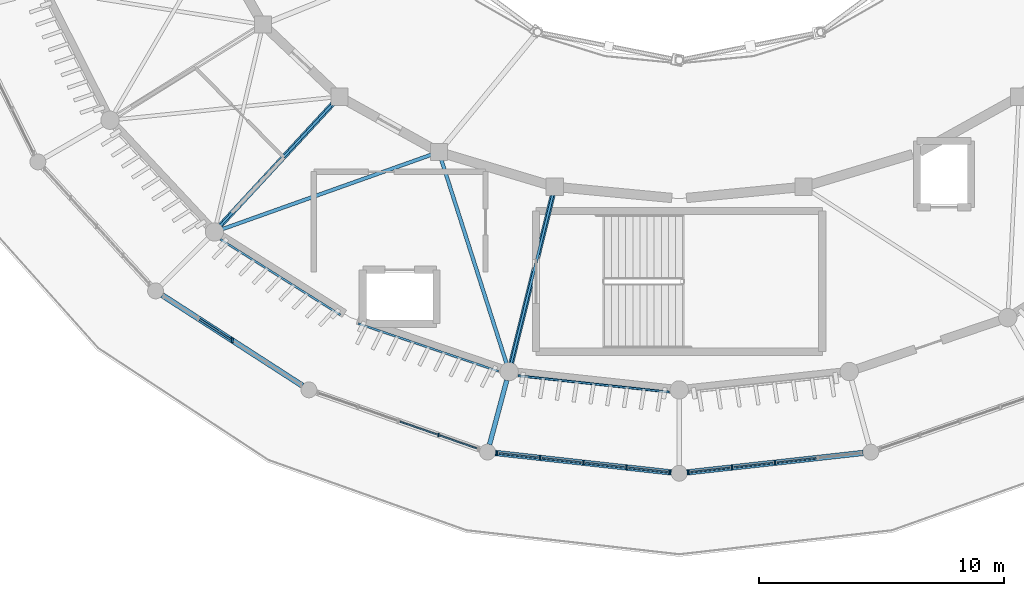
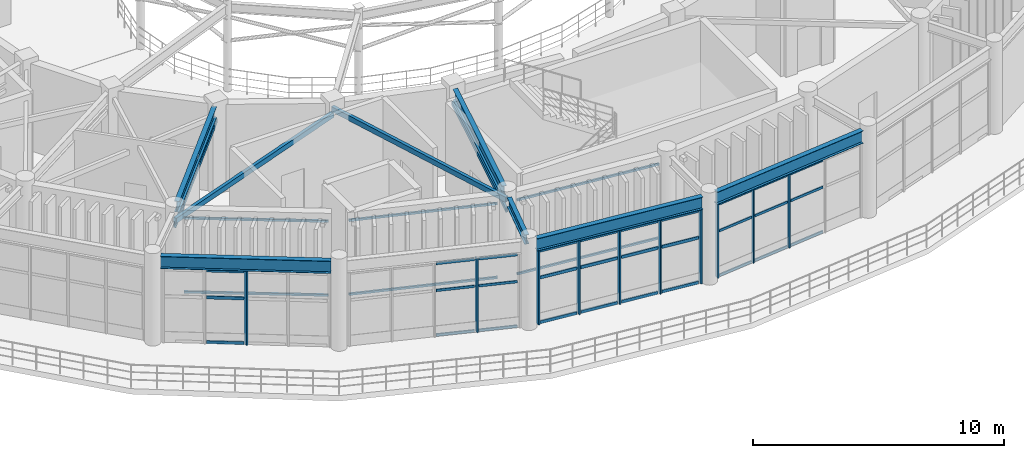
# One storey, part 8 of 45: 50 members, 6 beams, 4 elements without a shape of their own.
"""IFC4 building model written with IfcOpenShell, lengths in metres."""

from ifc_helpers import new_model, si_unit, direction, frame, origin, origin_2d, place, context, subcontext, project, spatial, rectangle, hollow_rectangle, i_section, extrude, material, material_profile, profile_set, type_object, element, aggregate, save


model = new_model("IFC4")

# Units and contexts
model_context = context("Model", 3, precision=1e-05, world=origin(), true_north=direction((0.0, 1.0)))
body_context = subcontext(model_context, "Body", "Model", "MODEL_VIEW")
ifc_project = project(units=[si_unit("LENGTHUNIT", "METRE"), si_unit("AREAUNIT", "SQUARE_METRE"), si_unit("VOLUMEUNIT", "CUBIC_METRE"), si_unit("PLANEANGLEUNIT", "RADIAN"), si_unit("MASSUNIT", "GRAM", prefix="KILO")], contexts=[model_context])

# Site, building, storey
site_placement = place(None, origin())
site = spatial("IfcSite", under=ifc_project, at=site_placement, CompositionType="ELEMENT")
building_placement = place(site_placement, origin())
building = spatial("IfcBuilding", under=site, at=building_placement, Name="Cinderbank Siding Concert Hall", CompositionType="ELEMENT")
storey_placement = place(building_placement, frame((0.0, 0.0, 19.199951171875)))
storey = spatial("IfcBuildingStorey", under=building, at=storey_placement, Name="L05", CompositionType="ELEMENT", Elevation=19.199951171875)

# Beams
ifc_material_1 = material(Name="Structural steel AS/NZS 3679.1 Grade 350 (340 MPa)", Category="steel")
ifc_material_profile_1 = material_profile(ifc_material_1, i_section(OverallWidth=0.19091796875, OverallDepth=0.46044921875, WebThickness=0.010009765625, FlangeThickness=0.01611328125, at=origin_2d()), Name="460UB82.1", Category="LoadBearing")
ifc_profile_set_1 = profile_set([ifc_material_profile_1], Name="Structural steel AS/NZS 3679.1 Grade 350 (340 MPa)")
beam_type_1 = type_object("IfcBeamType", Name="BM-UB460H 460UB82.1", PredefinedType="BEAM", material=ifc_profile_set_1)
beam_1_placement = place(storey_placement, frame((114.968505859375, 22.39501953125, 4.001953125), z_axis=(-0.258809477387, -0.9659283899, 0.0), x_axis=(0.9659283899, -0.258809477387, 0.0)))
element("IfcBeam", 1, at=beam_1_placement, inside=storey, type_object=beam_type_1, Name="L05 Beam BM-UB460H #810", PredefinedType="BEAM", context=body_context, shape_type="SweptSolid", body=[
    extrude(i_section(OverallWidth=0.19091796875, OverallDepth=0.46044921875, WebThickness=0.010009765625, FlangeThickness=0.01611328125, at=origin_2d()), origin(), (0.0, 0.0, 1.0), 2.7158203125),
])
ifc_material_profile_2 = material_profile(ifc_material_1, i_section(OverallWidth=0.208984375, OverallDepth=0.532958984375, WebThickness=0.01025390625, FlangeThickness=0.015625, at=origin_2d()), Name="530UB92.4", Category="LoadBearing")
ifc_profile_set_2 = profile_set([ifc_material_profile_2], Name="Structural steel AS/NZS 3679.1 Grade 350 (340 MPa)")
beam_type_2 = type_object("IfcBeamType", Name="BM-UB530H 530UB92.4", PredefinedType="BEAM", material=ifc_profile_set_2)
beam_2_placement = place(storey_placement, frame((107.90869140625, 33.707763671875, 4.015625), z_axis=(-0.67829203735, -0.734792427879, 0.0), x_axis=(0.734792427879, -0.67829203735, 0.0)))
element("IfcBeam", 2, at=beam_2_placement, inside=storey, type_object=beam_type_2, Name="L05 Beam BM-UB530H #789", PredefinedType="BEAM", context=body_context, shape_type="SweptSolid", body=[
    extrude(i_section(OverallWidth=0.208984375, OverallDepth=0.532958984375, WebThickness=0.01025390625, FlangeThickness=0.015625, at=origin_2d()), origin(), (0.0, 0.0, 1.0), 6.797119140625),
])
beam_3_placement = place(storey_placement, frame((116.844970703125, 29.951904296875, 4.015625), z_axis=(-0.240115631411, -0.970744293598, 0.0), x_axis=(0.970744293598, -0.240115631411, 0.0)))
element("IfcBeam", 3, at=beam_3_placement, inside=storey, type_object=beam_type_2, Name="L05 Beam BM-UB530H #790", PredefinedType="BEAM", context=body_context, shape_type="SweptSolid", body=[
    extrude(i_section(OverallWidth=0.208984375, OverallDepth=0.532958984375, WebThickness=0.01025390625, FlangeThickness=0.015625, at=origin_2d()), origin(), (0.0, 0.0, 1.0), 7.05224609375),
])
ifc_material_profile_3 = material_profile(ifc_material_1, i_section(OverallWidth=0.22802734375, OverallDepth=0.60693359375, WebThickness=0.01123046875, FlangeThickness=0.017333984375, at=origin_2d()), Name="610UB113", Category="LoadBearing")
ifc_profile_set_3 = profile_set([ifc_material_profile_3], Name="Structural steel AS/NZS 3679.1 Grade 350 (340 MPa)")
beam_type_3 = type_object("IfcBeamType", Name="BM-UB610M 610UB113", PredefinedType="BEAM", material=ifc_profile_set_3)
beam_4_placement = place(storey_placement, frame((100.91162109375, 25.86767578125, 3.928466796875), z_axis=(0.840219727246, -0.542246078775, 0.0), x_axis=(0.542246078775, 0.840219727246, 0.0)))
element("IfcBeam", 4, at=beam_4_placement, inside=storey, type_object=beam_type_3, Name="L05 Beam BM-UB610M #774", PredefinedType="BEAM", context=body_context, shape_type="SweptSolid", body=[
    extrude(i_section(OverallWidth=0.22802734375, OverallDepth=0.60693359375, WebThickness=0.01123046875, FlangeThickness=0.017333984375, at=origin_2d()), origin(), (0.0, 0.0, 1.0), 6.810302734375),
])
for number, where, z_axis, x_axis, name in (
    (5, (114.498779296875, 19.4306640625, 3.928466796875), (0.993926077211, -0.110049775281, 0.0), (0.110049775281, 0.993926077211, 0.0), "L05 Beam BM-UB610M #776"),
    (6, (122.315185546875, 18.635009765625, 3.928466796875), (0.993926077211, 0.110049775281, 0.0), (-0.110049775281, 0.993926077211, 0.0), "L05 Beam BM-UB610M #777"),
):
    element("IfcBeam", number, at=place(storey_placement, frame(where, z_axis=z_axis, x_axis=x_axis)), inside=storey, type_object=beam_type_3, Name=name, PredefinedType="BEAM", context=body_context, shape_type="SweptSolid", body=[
        extrude(i_section(OverallWidth=0.22802734375, OverallDepth=0.60693359375, WebThickness=0.01123046875, FlangeThickness=0.017333984375, at=origin_2d()), origin(), (0.0, 0.0, 1.0), 7.22998046875),
    ])

# Curtain wall, member
ifc_material_2 = material(Name="Anodised aluminium alloy 6063-T6", Category="aluminium")
curtain_wall_type_1 = type_object("IfcCurtainWallType", Name="CW-09 Unitised Acoustic Curtain Wall 8000x3500", PredefinedType="NOTDEFINED", material=ifc_material_2)
curtain_wall_1_placement = place(storey_placement, origin())
curtain_wall_1 = element("IfcCurtainWall", 7, at=curtain_wall_1_placement, inside=storey, type_object=curtain_wall_type_1, Name="L05 Curtain Wall CW-09 #86", PredefinedType="NOTDEFINED")
ifc_material_profile_4 = material_profile(ifc_material_2, rectangle(XDim=0.06005859375, YDim=0.159912109375, at=origin_2d()), Name="ALU-MULL-60x160", Category="LoadBearing")
ifc_profile_set_4 = profile_set([ifc_material_profile_4], Name="Anodised aluminium alloy 6063-T6")
member_type_1 = type_object("IfcMemberType", Name="CW-ML1 Mullion 60x160", PredefinedType="MULLION", material=ifc_profile_set_4)
member_1_placement = place(storey_placement, frame((112.1787109375, 20.1640625, 0.0), z_axis=(0.0, 0.0, 1.0), x_axis=(1.0, 0.0, 0.0)))
member_1 = element("IfcMember", 8, at=member_1_placement, type_object=member_type_1, Name="CW-L05-086 Mullion 3", PredefinedType="MULLION", context=body_context, shape_type="SweptSolid", body=[
    extrude(rectangle(XDim=0.06005859375, YDim=0.159912109375, at=origin_2d()), origin(), (0.0, 0.0, 1.0), 3.610107421875),
])

# Curtain wall, members
curtain_wall_type_2 = type_object("IfcCurtainWallType", Name="CW-11 Unitised Acoustic Curtain Wall 6600x3500", PredefinedType="NOTDEFINED", material=ifc_material_2)
curtain_wall_2_placement = place(storey_placement, origin())
curtain_wall_2 = element("IfcCurtainWall", 9, at=curtain_wall_2_placement, inside=storey, type_object=curtain_wall_type_2, Name="L05 Curtain Wall CW-11 #88", PredefinedType="NOTDEFINED")
member_2_placement = place(storey_placement, frame((122.3876953125, 18.642822265625, 0.0), z_axis=(0.0, 0.0, 1.0), x_axis=(1.0, 0.0, 0.0)))
member_2 = element("IfcMember", 10, at=member_2_placement, type_object=member_type_1, Name="CW-L05-088 Mullion 0", PredefinedType="MULLION", context=body_context, shape_type="SweptSolid", body=[
    extrude(rectangle(XDim=0.06005859375, YDim=0.159912109375, at=origin_2d()), origin(), (0.0, 0.0, 1.0), 3.610107421875),
])
member_3_placement = place(storey_placement, frame((124.14794921875, 18.837890625, 0.0), z_axis=(0.0, 0.0, 1.0), x_axis=(1.0, 0.0, 0.0)))
member_3 = element("IfcMember", 11, at=member_3_placement, type_object=member_type_1, Name="CW-L05-088 Mullion 1", PredefinedType="MULLION", context=body_context, shape_type="SweptSolid", body=[
    extrude(rectangle(XDim=0.06005859375, YDim=0.159912109375, at=origin_2d()), origin(), (0.0, 0.0, 1.0), 3.610107421875),
])
member_4_placement = place(storey_placement, frame((125.908203125, 19.03271484375, 0.0), z_axis=(0.0, 0.0, 1.0), x_axis=(1.0, 0.0, 0.0)))
member_4 = element("IfcMember", 12, at=member_4_placement, type_object=member_type_1, Name="CW-L05-088 Mullion 2", PredefinedType="MULLION", context=body_context, shape_type="SweptSolid", body=[
    extrude(rectangle(XDim=0.06005859375, YDim=0.159912109375, at=origin_2d()), origin(), (0.0, 0.0, 1.0), 3.610107421875),
])

# Curtain wall, member
curtain_wall_type_3 = type_object("IfcCurtainWallType", Name="CW-12 Unitised Acoustic Curtain Wall 5800x3500", PredefinedType="NOTDEFINED", material=ifc_material_2)
curtain_wall_3_placement = place(storey_placement, origin())
curtain_wall_3 = element("IfcCurtainWall", 13, at=curtain_wall_3_placement, inside=storey, type_object=curtain_wall_type_3, Name="L05 Curtain Wall CW-12 #85", PredefinedType="NOTDEFINED")
ifc_material_profile_5 = material_profile(ifc_material_2, rectangle(XDim=0.06494140625, YDim=0.199951171875, at=origin_2d()), Name="ALU-MULL-65x200", Category="LoadBearing")
ifc_profile_set_5 = profile_set([ifc_material_profile_5], Name="Anodised aluminium alloy 6063-T6")
member_type_2 = type_object("IfcMemberType", Name="CW-ML2 Mullion 65x200", PredefinedType="MULLION", material=ifc_profile_set_5)
member_5_placement = place(storey_placement, frame((103.772705078125, 24.021240234375, 0.0), z_axis=(0.0, 0.0, 1.0), x_axis=(1.0, 0.0, 0.0)))
member_5 = element("IfcMember", 14, at=member_5_placement, type_object=member_type_2, Name="CW-L05-085 Mullion 2", PredefinedType="MULLION", context=body_context, shape_type="SweptSolid", body=[
    extrude(rectangle(XDim=0.06494140625, YDim=0.199951171875, at=origin_2d()), origin(), (0.0, 0.0, 1.0), 3.610107421875),
])

# Curtain wall, members
curtain_wall_type_4 = type_object("IfcCurtainWallType", Name="CW-10 Unitised Acoustic Curtain Wall 7200x3500", PredefinedType="NOTDEFINED", material=ifc_material_2)
curtain_wall_4_placement = place(storey_placement, origin())
curtain_wall_4 = element("IfcCurtainWall", 15, at=curtain_wall_4_placement, inside=storey, type_object=curtain_wall_type_4, Name="L05 Curtain Wall CW-10 #87", PredefinedType="NOTDEFINED")
member_6_placement = place(storey_placement, frame((114.5712890625, 19.422607421875, 0.0), z_axis=(0.0, 0.0, 1.0), x_axis=(1.0, 0.0, 0.0)))
member_6 = element("IfcMember", 16, at=member_6_placement, type_object=member_type_2, Name="CW-L05-087 Mullion 0", PredefinedType="MULLION", context=body_context, shape_type="SweptSolid", body=[
    extrude(rectangle(XDim=0.06494140625, YDim=0.199951171875, at=origin_2d()), origin(), (0.0, 0.0, 1.0), 3.610107421875),
])
member_7_placement = place(storey_placement, frame((116.33154296875, 19.227783203125, 0.0), z_axis=(0.0, 0.0, 1.0), x_axis=(1.0, 0.0, 0.0)))
member_7 = element("IfcMember", 17, at=member_7_placement, type_object=member_type_2, Name="CW-L05-087 Mullion 1", PredefinedType="MULLION", context=body_context, shape_type="SweptSolid", body=[
    extrude(rectangle(XDim=0.06494140625, YDim=0.199951171875, at=origin_2d()), origin(), (0.0, 0.0, 1.0), 3.610107421875),
])
member_8_placement = place(storey_placement, frame((118.091796875, 19.03271484375, 0.0), z_axis=(0.0, 0.0, 1.0), x_axis=(1.0, 0.0, 0.0)))
member_8 = element("IfcMember", 18, at=member_8_placement, type_object=member_type_2, Name="CW-L05-087 Mullion 2", PredefinedType="MULLION", context=body_context, shape_type="SweptSolid", body=[
    extrude(rectangle(XDim=0.06494140625, YDim=0.199951171875, at=origin_2d()), origin(), (0.0, 0.0, 1.0), 3.610107421875),
])
member_9_placement = place(storey_placement, frame((119.85205078125, 18.837890625, 0.0), z_axis=(0.0, 0.0, 1.0), x_axis=(1.0, 0.0, 0.0)))
member_9 = element("IfcMember", 19, at=member_9_placement, type_object=member_type_2, Name="CW-L05-087 Mullion 3", PredefinedType="MULLION", context=body_context, shape_type="SweptSolid", body=[
    extrude(rectangle(XDim=0.06494140625, YDim=0.199951171875, at=origin_2d()), origin(), (0.0, 0.0, 1.0), 3.610107421875),
])
member_10_placement = place(storey_placement, frame((121.6123046875, 18.642822265625, 0.0), z_axis=(0.0, 0.0, 1.0), x_axis=(1.0, 0.0, 0.0)))
member_10 = element("IfcMember", 20, at=member_10_placement, type_object=member_type_2, Name="CW-L05-087 Mullion 4", PredefinedType="MULLION", context=body_context, shape_type="SweptSolid", body=[
    extrude(rectangle(XDim=0.06494140625, YDim=0.199951171875, at=origin_2d()), origin(), (0.0, 0.0, 1.0), 3.610107421875),
])

# Member
ifc_material_profile_6 = material_profile(ifc_material_2, rectangle(XDim=0.06005859375, YDim=0.1201171875, at=origin_2d()), Name="ALU-TRAN-60x120", Category="LoadBearing")
ifc_profile_set_6 = profile_set([ifc_material_profile_6], Name="Anodised aluminium alloy 6063-T6")
member_type_3 = type_object("IfcMemberType", Name="CW-TR1 Transom 60x120", PredefinedType="USERDEFINED", material=ifc_profile_set_6)
member_11_placement = place(storey_placement, frame((110.623779296875, 20.705810546875, 0.06005859375), z_axis=(0.944274869359, -0.32915797286, 0.0), x_axis=(0.32915797286, 0.944274869359, 0.0)))
member_11 = element("IfcMember", 21, at=member_11_placement, type_object=member_type_3, Name="CW-L05-086 Transom 2-0", ObjectType="TRANSOM", PredefinedType="USERDEFINED", context=body_context, shape_type="SweptSolid", body=[
    extrude(rectangle(XDim=0.06005859375, YDim=0.1201171875, at=origin_2d()), origin(), (0.0, 0.0, 1.0), 1.559814453125),
])

member_12_placement = place(storey_placement, frame((110.623779296875, 20.705810546875, 2.23828125), z_axis=(0.944274869359, -0.32915797286, 0.0), x_axis=(0.32915797286, 0.944274869359, 0.0)))
member_12 = element("IfcMember", 22, at=member_12_placement, type_object=member_type_3, Name="CW-L05-086 Transom 2-1", ObjectType="TRANSOM", PredefinedType="USERDEFINED", context=body_context, shape_type="SweptSolid", body=[
    extrude(rectangle(XDim=0.06005859375, YDim=0.1201171875, at=origin_2d()), origin(), (0.0, 0.0, 1.0), 1.559814453125),
])

member_13_placement = place(storey_placement, frame((110.623779296875, 20.705810546875, 3.550048828125), z_axis=(0.944274869359, -0.32915797286, 0.0), x_axis=(0.32915797286, 0.944274869359, 0.0)))
member_13 = element("IfcMember", 23, at=member_13_placement, type_object=member_type_3, Name="CW-L05-086 Transom 2-2", ObjectType="TRANSOM", PredefinedType="USERDEFINED", context=body_context, shape_type="SweptSolid", body=[
    extrude(rectangle(XDim=0.06005859375, YDim=0.1201171875, at=origin_2d()), origin(), (0.0, 0.0, 1.0), 1.559814453125),
])

member_14_placement = place(storey_placement, frame((112.260498046875, 20.135498046875, 0.06005859375), z_axis=(0.944340450587, -0.328969775793, 0.0), x_axis=(0.328969775793, 0.944340450587, 0.0)))
member_14 = element("IfcMember", 24, at=member_14_placement, type_object=member_type_3, Name="CW-L05-086 Transom 3-0", ObjectType="TRANSOM", PredefinedType="USERDEFINED", context=body_context, shape_type="SweptSolid", body=[
    extrude(rectangle(XDim=0.06005859375, YDim=0.1201171875, at=origin_2d()), origin(), (0.0, 0.0, 1.0), 1.56005859375),
])

member_15_placement = place(storey_placement, frame((112.260498046875, 20.135498046875, 2.23828125), z_axis=(0.944340450587, -0.328969775793, 0.0), x_axis=(0.328969775793, 0.944340450587, 0.0)))
member_15 = element("IfcMember", 25, at=member_15_placement, type_object=member_type_3, Name="CW-L05-086 Transom 3-1", ObjectType="TRANSOM", PredefinedType="USERDEFINED", context=body_context, shape_type="SweptSolid", body=[
    extrude(rectangle(XDim=0.06005859375, YDim=0.1201171875, at=origin_2d()), origin(), (0.0, 0.0, 1.0), 1.56005859375),
])

member_16_placement = place(storey_placement, frame((112.260498046875, 20.135498046875, 3.550048828125), z_axis=(0.944340450587, -0.328969775793, 0.0), x_axis=(0.328969775793, 0.944340450587, 0.0)))
member_16 = element("IfcMember", 26, at=member_16_placement, type_object=member_type_3, Name="CW-L05-086 Transom 3-2", ObjectType="TRANSOM", PredefinedType="USERDEFINED", context=body_context, shape_type="SweptSolid", body=[
    extrude(rectangle(XDim=0.06005859375, YDim=0.1201171875, at=origin_2d()), origin(), (0.0, 0.0, 1.0), 1.56005859375),
])

aggregate(curtain_wall_1, [member_1, member_11, member_12, member_13, member_14, member_15, member_16])

member_17_placement = place(storey_placement, frame((122.4755859375, 18.652587890625, 0.06005859375), z_axis=(0.993917311195, 0.110128917668, 0.0), x_axis=(-0.110128917668, 0.993917311195, 0.0)))
member_17 = element("IfcMember", 27, at=member_17_placement, type_object=member_type_3, Name="CW-L05-088 Transom 0-0", ObjectType="TRANSOM", PredefinedType="USERDEFINED", context=body_context, shape_type="SweptSolid", body=[
    extrude(rectangle(XDim=0.06005859375, YDim=0.1201171875, at=origin_2d()), origin(), (0.0, 0.0, 1.0), 1.593994140625),
])

member_18_placement = place(storey_placement, frame((122.4755859375, 18.652587890625, 2.23828125), z_axis=(0.993917311195, 0.110128917668, 0.0), x_axis=(-0.110128917668, 0.993917311195, 0.0)))
member_18 = element("IfcMember", 28, at=member_18_placement, type_object=member_type_3, Name="CW-L05-088 Transom 0-1", ObjectType="TRANSOM", PredefinedType="USERDEFINED", context=body_context, shape_type="SweptSolid", body=[
    extrude(rectangle(XDim=0.06005859375, YDim=0.1201171875, at=origin_2d()), origin(), (0.0, 0.0, 1.0), 1.593994140625),
])

member_19_placement = place(storey_placement, frame((122.4755859375, 18.652587890625, 3.550048828125), z_axis=(0.993917311195, 0.110128917668, 0.0), x_axis=(-0.110128917668, 0.993917311195, 0.0)))
member_19 = element("IfcMember", 29, at=member_19_placement, type_object=member_type_3, Name="CW-L05-088 Transom 0-2", ObjectType="TRANSOM", PredefinedType="USERDEFINED", context=body_context, shape_type="SweptSolid", body=[
    extrude(rectangle(XDim=0.06005859375, YDim=0.1201171875, at=origin_2d()), origin(), (0.0, 0.0, 1.0), 1.593994140625),
])

member_20_placement = place(storey_placement, frame((124.23583984375, 18.84765625, 0.06005859375), z_axis=(0.993934065753, 0.109977601974, 0.0), x_axis=(-0.109977601974, 0.993934065753, 0.0)))
member_20 = element("IfcMember", 30, at=member_20_placement, type_object=member_type_3, Name="CW-L05-088 Transom 1-0", ObjectType="TRANSOM", PredefinedType="USERDEFINED", context=body_context, shape_type="SweptSolid", body=[
    extrude(rectangle(XDim=0.06005859375, YDim=0.1201171875, at=origin_2d()), origin(), (0.0, 0.0, 1.0), 1.593994140625),
])

member_21_placement = place(storey_placement, frame((124.23583984375, 18.84765625, 2.23828125), z_axis=(0.993934065753, 0.109977601974, 0.0), x_axis=(-0.109977601974, 0.993934065753, 0.0)))
member_21 = element("IfcMember", 31, at=member_21_placement, type_object=member_type_3, Name="CW-L05-088 Transom 1-1", ObjectType="TRANSOM", PredefinedType="USERDEFINED", context=body_context, shape_type="SweptSolid", body=[
    extrude(rectangle(XDim=0.06005859375, YDim=0.1201171875, at=origin_2d()), origin(), (0.0, 0.0, 1.0), 1.593994140625),
])

member_22_placement = place(storey_placement, frame((124.23583984375, 18.84765625, 3.550048828125), z_axis=(0.993934065753, 0.109977601974, 0.0), x_axis=(-0.109977601974, 0.993934065753, 0.0)))
member_22 = element("IfcMember", 32, at=member_22_placement, type_object=member_type_3, Name="CW-L05-088 Transom 1-2", ObjectType="TRANSOM", PredefinedType="USERDEFINED", context=body_context, shape_type="SweptSolid", body=[
    extrude(rectangle(XDim=0.06005859375, YDim=0.1201171875, at=origin_2d()), origin(), (0.0, 0.0, 1.0), 1.593994140625),
])

member_23_placement = place(storey_placement, frame((125.99609375, 19.04248046875, 0.06005859375), z_axis=(0.993917311195, 0.110128917668, 0.0), x_axis=(-0.110128917668, 0.993917311195, 0.0)))
member_23 = element("IfcMember", 33, at=member_23_placement, type_object=member_type_3, Name="CW-L05-088 Transom 2-0", ObjectType="TRANSOM", PredefinedType="USERDEFINED", context=body_context, shape_type="SweptSolid", body=[
    extrude(rectangle(XDim=0.06005859375, YDim=0.1201171875, at=origin_2d()), origin(), (0.0, 0.0, 1.0), 1.593994140625),
])

member_24_placement = place(storey_placement, frame((125.99609375, 19.04248046875, 2.23828125), z_axis=(0.993917311195, 0.110128917668, 0.0), x_axis=(-0.110128917668, 0.993917311195, 0.0)))
member_24 = element("IfcMember", 34, at=member_24_placement, type_object=member_type_3, Name="CW-L05-088 Transom 2-1", ObjectType="TRANSOM", PredefinedType="USERDEFINED", context=body_context, shape_type="SweptSolid", body=[
    extrude(rectangle(XDim=0.06005859375, YDim=0.1201171875, at=origin_2d()), origin(), (0.0, 0.0, 1.0), 1.593994140625),
])

member_25_placement = place(storey_placement, frame((125.99609375, 19.04248046875, 3.550048828125), z_axis=(0.993917311195, 0.110128917668, 0.0), x_axis=(-0.110128917668, 0.993917311195, 0.0)))
member_25 = element("IfcMember", 35, at=member_25_placement, type_object=member_type_3, Name="CW-L05-088 Transom 2-2", ObjectType="TRANSOM", PredefinedType="USERDEFINED", context=body_context, shape_type="SweptSolid", body=[
    extrude(rectangle(XDim=0.06005859375, YDim=0.1201171875, at=origin_2d()), origin(), (0.0, 0.0, 1.0), 1.593994140625),
])

aggregate(curtain_wall_2, [member_2, member_3, member_4, member_17, member_18, member_19, member_20, member_21, member_22, member_23, member_24, member_25])

ifc_material_profile_7 = material_profile(ifc_material_2, rectangle(XDim=0.06494140625, YDim=0.14990234375, at=origin_2d()), Name="ALU-TRAN-65x150", Category="LoadBearing")
ifc_profile_set_7 = profile_set([ifc_material_profile_7], Name="Anodised aluminium alloy 6063-T6")
member_type_4 = type_object("IfcMemberType", Name="CW-TR2 Transom 65x150", PredefinedType="USERDEFINED", material=ifc_profile_set_7)
member_26_placement = place(storey_placement, frame((102.44287109375, 24.87939453125, 0.06005859375), z_axis=(0.840224854991, -0.542238133163, 0.0), x_axis=(0.542238133163, 0.840224854991, 0.0)))
member_26 = element("IfcMember", 36, at=member_26_placement, type_object=member_type_4, Name="CW-L05-085 Transom 1-0", ObjectType="TRANSOM", PredefinedType="USERDEFINED", context=body_context, shape_type="SweptSolid", body=[
    extrude(rectangle(XDim=0.06494140625, YDim=0.14990234375, at=origin_2d()), origin(), (0.0, 0.0, 1.0), 1.499267578125),
])

member_27_placement = place(storey_placement, frame((102.44287109375, 24.87939453125, 2.23828125), z_axis=(0.840224854991, -0.542238133163, 0.0), x_axis=(0.542238133163, 0.840224854991, 0.0)))
member_27 = element("IfcMember", 37, at=member_27_placement, type_object=member_type_4, Name="CW-L05-085 Transom 1-1", ObjectType="TRANSOM", PredefinedType="USERDEFINED", context=body_context, shape_type="SweptSolid", body=[
    extrude(rectangle(XDim=0.06494140625, YDim=0.14990234375, at=origin_2d()), origin(), (0.0, 0.0, 1.0), 1.499267578125),
])

member_28_placement = place(storey_placement, frame((102.44287109375, 24.87939453125, 3.550048828125), z_axis=(0.840224854991, -0.542238133163, 0.0), x_axis=(0.542238133163, 0.840224854991, 0.0)))
member_28 = element("IfcMember", 38, at=member_28_placement, type_object=member_type_4, Name="CW-L05-085 Transom 1-2", ObjectType="TRANSOM", PredefinedType="USERDEFINED", context=body_context, shape_type="SweptSolid", body=[
    extrude(rectangle(XDim=0.06494140625, YDim=0.14990234375, at=origin_2d()), origin(), (0.0, 0.0, 1.0), 1.499267578125),
])

aggregate(curtain_wall_3, [member_5, member_26, member_27, member_28])

member_29_placement = place(storey_placement, frame((114.6591796875, 19.412841796875, 0.06005859375), z_axis=(0.993919168469, -0.110112154411, 0.0), x_axis=(0.110112154411, 0.993919168469, 0.0)))
member_29 = element("IfcMember", 39, at=member_29_placement, type_object=member_type_4, Name="CW-L05-087 Transom 0-0", ObjectType="TRANSOM", PredefinedType="USERDEFINED", context=body_context, shape_type="SweptSolid", body=[
    extrude(rectangle(XDim=0.06494140625, YDim=0.14990234375, at=origin_2d()), origin(), (0.0, 0.0, 1.0), 1.59423828125),
])

member_30_placement = place(storey_placement, frame((114.6591796875, 19.412841796875, 2.23828125), z_axis=(0.993919168469, -0.110112154411, 0.0), x_axis=(0.110112154411, 0.993919168469, 0.0)))
member_30 = element("IfcMember", 40, at=member_30_placement, type_object=member_type_4, Name="CW-L05-087 Transom 0-1", ObjectType="TRANSOM", PredefinedType="USERDEFINED", context=body_context, shape_type="SweptSolid", body=[
    extrude(rectangle(XDim=0.06494140625, YDim=0.14990234375, at=origin_2d()), origin(), (0.0, 0.0, 1.0), 1.59423828125),
])

member_31_placement = place(storey_placement, frame((114.6591796875, 19.412841796875, 3.550048828125), z_axis=(0.993919168469, -0.110112154411, 0.0), x_axis=(0.110112154411, 0.993919168469, 0.0)))
member_31 = element("IfcMember", 41, at=member_31_placement, type_object=member_type_4, Name="CW-L05-087 Transom 0-2", ObjectType="TRANSOM", PredefinedType="USERDEFINED", context=body_context, shape_type="SweptSolid", body=[
    extrude(rectangle(XDim=0.06494140625, YDim=0.14990234375, at=origin_2d()), origin(), (0.0, 0.0, 1.0), 1.59423828125),
])

member_32_placement = place(storey_placement, frame((116.419677734375, 19.218017578125, 0.06005859375), z_axis=(0.993917311195, -0.110128917668, 0.0), x_axis=(0.110128917668, 0.993917311195, 0.0)))
member_32 = element("IfcMember", 42, at=member_32_placement, type_object=member_type_4, Name="CW-L05-087 Transom 1-0", ObjectType="TRANSOM", PredefinedType="USERDEFINED", context=body_context, shape_type="SweptSolid", body=[
    extrude(rectangle(XDim=0.06494140625, YDim=0.14990234375, at=origin_2d()), origin(), (0.0, 0.0, 1.0), 1.593994140625),
])

member_33_placement = place(storey_placement, frame((116.419677734375, 19.218017578125, 2.23828125), z_axis=(0.993917311195, -0.110128917668, 0.0), x_axis=(0.110128917668, 0.993917311195, 0.0)))
member_33 = element("IfcMember", 43, at=member_33_placement, type_object=member_type_4, Name="CW-L05-087 Transom 1-1", ObjectType="TRANSOM", PredefinedType="USERDEFINED", context=body_context, shape_type="SweptSolid", body=[
    extrude(rectangle(XDim=0.06494140625, YDim=0.14990234375, at=origin_2d()), origin(), (0.0, 0.0, 1.0), 1.593994140625),
])

member_34_placement = place(storey_placement, frame((116.419677734375, 19.218017578125, 3.550048828125), z_axis=(0.993917311195, -0.110128917668, 0.0), x_axis=(0.110128917668, 0.993917311195, 0.0)))
member_34 = element("IfcMember", 44, at=member_34_placement, type_object=member_type_4, Name="CW-L05-087 Transom 1-2", ObjectType="TRANSOM", PredefinedType="USERDEFINED", context=body_context, shape_type="SweptSolid", body=[
    extrude(rectangle(XDim=0.06494140625, YDim=0.14990234375, at=origin_2d()), origin(), (0.0, 0.0, 1.0), 1.593994140625),
])

member_35_placement = place(storey_placement, frame((118.179931640625, 19.02294921875, 0.06005859375), z_axis=(0.993934065753, -0.109977601974, 0.0), x_axis=(0.109977601974, 0.993934065753, 0.0)))
member_35 = element("IfcMember", 45, at=member_35_placement, type_object=member_type_4, Name="CW-L05-087 Transom 2-0", ObjectType="TRANSOM", PredefinedType="USERDEFINED", context=body_context, shape_type="SweptSolid", body=[
    extrude(rectangle(XDim=0.06494140625, YDim=0.14990234375, at=origin_2d()), origin(), (0.0, 0.0, 1.0), 1.593994140625),
])

member_36_placement = place(storey_placement, frame((118.179931640625, 19.02294921875, 2.23828125), z_axis=(0.993934065753, -0.109977601974, 0.0), x_axis=(0.109977601974, 0.993934065753, 0.0)))
member_36 = element("IfcMember", 46, at=member_36_placement, type_object=member_type_4, Name="CW-L05-087 Transom 2-1", ObjectType="TRANSOM", PredefinedType="USERDEFINED", context=body_context, shape_type="SweptSolid", body=[
    extrude(rectangle(XDim=0.06494140625, YDim=0.14990234375, at=origin_2d()), origin(), (0.0, 0.0, 1.0), 1.593994140625),
])

member_37_placement = place(storey_placement, frame((118.179931640625, 19.02294921875, 3.550048828125), z_axis=(0.993934065753, -0.109977601974, 0.0), x_axis=(0.109977601974, 0.993934065753, 0.0)))
member_37 = element("IfcMember", 47, at=member_37_placement, type_object=member_type_4, Name="CW-L05-087 Transom 2-2", ObjectType="TRANSOM", PredefinedType="USERDEFINED", context=body_context, shape_type="SweptSolid", body=[
    extrude(rectangle(XDim=0.06494140625, YDim=0.14990234375, at=origin_2d()), origin(), (0.0, 0.0, 1.0), 1.593994140625),
])

member_38_placement = place(storey_placement, frame((119.940185546875, 18.828125, 0.06005859375), z_axis=(0.993917311195, -0.110128917668, 0.0), x_axis=(0.110128917668, 0.993917311195, 0.0)))
member_38 = element("IfcMember", 48, at=member_38_placement, type_object=member_type_4, Name="CW-L05-087 Transom 3-0", ObjectType="TRANSOM", PredefinedType="USERDEFINED", context=body_context, shape_type="SweptSolid", body=[
    extrude(rectangle(XDim=0.06494140625, YDim=0.14990234375, at=origin_2d()), origin(), (0.0, 0.0, 1.0), 1.593994140625),
])

member_39_placement = place(storey_placement, frame((119.940185546875, 18.828125, 2.23828125), z_axis=(0.993917311195, -0.110128917668, 0.0), x_axis=(0.110128917668, 0.993917311195, 0.0)))
member_39 = element("IfcMember", 49, at=member_39_placement, type_object=member_type_4, Name="CW-L05-087 Transom 3-1", ObjectType="TRANSOM", PredefinedType="USERDEFINED", context=body_context, shape_type="SweptSolid", body=[
    extrude(rectangle(XDim=0.06494140625, YDim=0.14990234375, at=origin_2d()), origin(), (0.0, 0.0, 1.0), 1.593994140625),
])

member_40_placement = place(storey_placement, frame((119.940185546875, 18.828125, 3.550048828125), z_axis=(0.993917311195, -0.110128917668, 0.0), x_axis=(0.110128917668, 0.993917311195, 0.0)))
member_40 = element("IfcMember", 50, at=member_40_placement, type_object=member_type_4, Name="CW-L05-087 Transom 3-2", ObjectType="TRANSOM", PredefinedType="USERDEFINED", context=body_context, shape_type="SweptSolid", body=[
    extrude(rectangle(XDim=0.06494140625, YDim=0.14990234375, at=origin_2d()), origin(), (0.0, 0.0, 1.0), 1.593994140625),
])

aggregate(curtain_wall_4, [member_6, member_7, member_8, member_9, member_10, member_29, member_30, member_31, member_32, member_33, member_34, member_35, member_36, member_37, member_38, member_39, member_40])

# Members
ifc_material_profile_8 = material_profile(ifc_material_2, rectangle(XDim=0.080078125, YDim=0.10009765625, at=origin_2d()), Name="ALU-RAIL-80x100", Category="LoadBearing")
ifc_profile_set_8 = profile_set([ifc_material_profile_8], Name="Anodised aluminium alloy 6063-T6")
member_type_5 = type_object("IfcMemberType", Name="LV-RL1 Carrier Rail 80x100", PredefinedType="STUD", material=ifc_profile_set_8)
for number, where, z_axis, x_axis, name in (
    (51, (103.290771484375, 28.140869140625, 0.219970703125), (0.84612066394, -0.532991390225, 0.0), (0.532991390225, 0.84612066394, 0.0), "L05 Louvre Carrier Rail 16 BOT"),
    (52, (103.290771484375, 28.140869140625, 3.820068359375), (0.84612066394, -0.532991390225, 0.0), (0.532991390225, 0.84612066394, 0.0), "L05 Louvre Carrier Rail 16 TOP"),
):
    element("IfcMember", number, at=place(storey_placement, frame(where, z_axis=z_axis, x_axis=x_axis)), inside=storey, type_object=member_type_5, Name=name, PredefinedType="STUD", context=body_context, shape_type="SweptSolid", body=[
        extrude(rectangle(XDim=0.080078125, YDim=0.10009765625, at=origin_2d()), origin(), (0.0, 0.0, 1.0), 5.77978515625),
    ])
for number, where, z_axis, x_axis, name in (
    (53, (108.91064453125, 24.705810546875, 0.219970703125), (0.946760439523, -0.321938923017, 0.0), (0.321938923017, 0.946760439523, 0.0), "L05 Louvre Carrier Rail 17 BOT"),
    (54, (108.91064453125, 24.705810546875, 3.820068359375), (0.946760439523, -0.321938923017, 0.0), (0.321938923017, 0.946760439523, 0.0), "L05 Louvre Carrier Rail 17 TOP"),
):
    element("IfcMember", number, at=place(storey_placement, frame(where, z_axis=z_axis, x_axis=x_axis)), inside=storey, type_object=member_type_5, Name=name, PredefinedType="STUD", context=body_context, shape_type="SweptSolid", body=[
        extrude(rectangle(XDim=0.080078125, YDim=0.10009765625, at=origin_2d()), origin(), (0.0, 0.0, 1.0), 6.047119140625),
    ])
for number, where, z_axis, x_axis, name in (
    (55, (115.430908203125, 22.579345703125, 0.219970703125), (0.994211711823, -0.107438689841, 0.0), (0.107438689841, 0.994211711823, 0.0), "L05 Louvre Carrier Rail 18 BOT"),
    (56, (115.430908203125, 22.579345703125, 3.820068359375), (0.994211711823, -0.107438689841, 0.0), (0.107438689841, 0.994211711823, 0.0), "L05 Louvre Carrier Rail 18 TOP"),
):
    element("IfcMember", number, at=place(storey_placement, frame(where, z_axis=z_axis, x_axis=x_axis)), inside=storey, type_object=member_type_5, Name=name, PredefinedType="STUD", context=body_context, shape_type="SweptSolid", body=[
        extrude(rectangle(XDim=0.080078125, YDim=0.10009765625, at=origin_2d()), origin(), (0.0, 0.0, 1.0), 6.19677734375),
    ])
ifc_material_3 = material(Name="Structural steel hollow section AS/NZS 1163 Grade C350L0 (350 MPa)", Category="steel")
ifc_material_profile_9 = material_profile(ifc_material_3, hollow_rectangle(XDim=0.10009765625, YDim=0.199951171875, WallThickness=0.008056640625, at=origin_2d()), Name="200x100x8.0RHS", Category="LoadBearing")
ifc_profile_set_9 = profile_set([ifc_material_profile_9], Name="Structural steel hollow section AS/NZS 1163 Grade C350L0 (350 MPa)")
member_type_6 = type_object("IfcMemberType", Name="PR-RHS200 200x100x8.0RHS Roof Truss", PredefinedType="PURLIN", material=ifc_profile_set_9)
member_41_placement = place(storey_placement, frame((108.140625, 33.958984375, 3.340087890625), z_axis=(-0.678276049894, -0.734807185689, 0.0), x_axis=(0.734807185689, -0.678276049894, 0.0)))
element("IfcMember", 57, at=member_41_placement, inside=storey, type_object=member_type_6, Name="L05 Roof Truss Member PR-RHS200 #2318", PredefinedType="PURLIN", context=body_context, shape_type="SweptSolid", body=[
    extrude(hollow_rectangle(XDim=0.10009765625, YDim=0.199951171875, WallThickness=0.008056640625, at=origin_2d()), origin(), (0.0, 0.0, 1.0), 7.505859375),
])
member_42_placement = place(storey_placement, frame((116.927001953125, 30.283935546875, 3.340087890625), z_axis=(-0.240070192761, -0.970755531814, 0.0), x_axis=(0.970755531814, -0.240070192761, 0.0)))
element("IfcMember", 58, at=member_42_placement, inside=storey, type_object=member_type_6, Name="L05 Roof Truss Member PR-RHS200 #2320", PredefinedType="PURLIN", context=body_context, shape_type="SweptSolid", body=[
    extrude(hollow_rectangle(XDim=0.10009765625, YDim=0.199951171875, WallThickness=0.008056640625, at=origin_2d()), origin(), (0.0, 0.0, 1.0), 7.761474609375),
])
ifc_material_profile_10 = material_profile(ifc_material_3, hollow_rectangle(XDim=0.14990234375, YDim=0.25, WallThickness=0.009033203125, at=origin_2d()), Name="250x150x9.0RHS", Category="LoadBearing")
ifc_profile_set_10 = profile_set([ifc_material_profile_10], Name="Structural steel hollow section AS/NZS 1163 Grade C350L0 (350 MPa)")
member_type_7 = type_object("IfcMemberType", Name="TR-RHS250 250x150x9.0RHS Roof Truss", PredefinedType="RAFTER", material=ifc_profile_set_10)
member_43_placement = place(storey_placement, frame((112.199951171875, 31.702392578125, 3.60009765625), z_axis=(-0.942041785809, -0.335495564487, 0.0), x_axis=(0.335495564487, -0.942041785809, 0.0)))
element("IfcMember", 59, at=member_43_placement, inside=storey, type_object=member_type_7, Name="L05 Roof Truss Member TR-RHS250 #2317", PredefinedType="RAFTER", context=body_context, shape_type="SweptSolid", body=[
    extrude(hollow_rectangle(XDim=0.14990234375, YDim=0.25, WallThickness=0.009033203125, at=origin_2d()), origin(), (0.0, 0.0, 1.0), 9.71337890625),
])
member_44_placement = place(storey_placement, frame((112.199951171875, 31.702392578125, 3.880126953125), z_axis=(0.304664519425, -0.952459726499, 0.0), x_axis=(0.952459726499, 0.304664519425, 0.0)))
element("IfcMember", 60, at=member_44_placement, inside=storey, type_object=member_type_7, Name="L05 Roof Truss Member TR-RHS250 #2319", PredefinedType="RAFTER", context=body_context, shape_type="SweptSolid", body=[
    extrude(hollow_rectangle(XDim=0.14990234375, YDim=0.25, WallThickness=0.009033203125, at=origin_2d()), origin(), (0.0, 0.0, 1.0), 9.399658203125),
])

save(model, "model.ifc")
